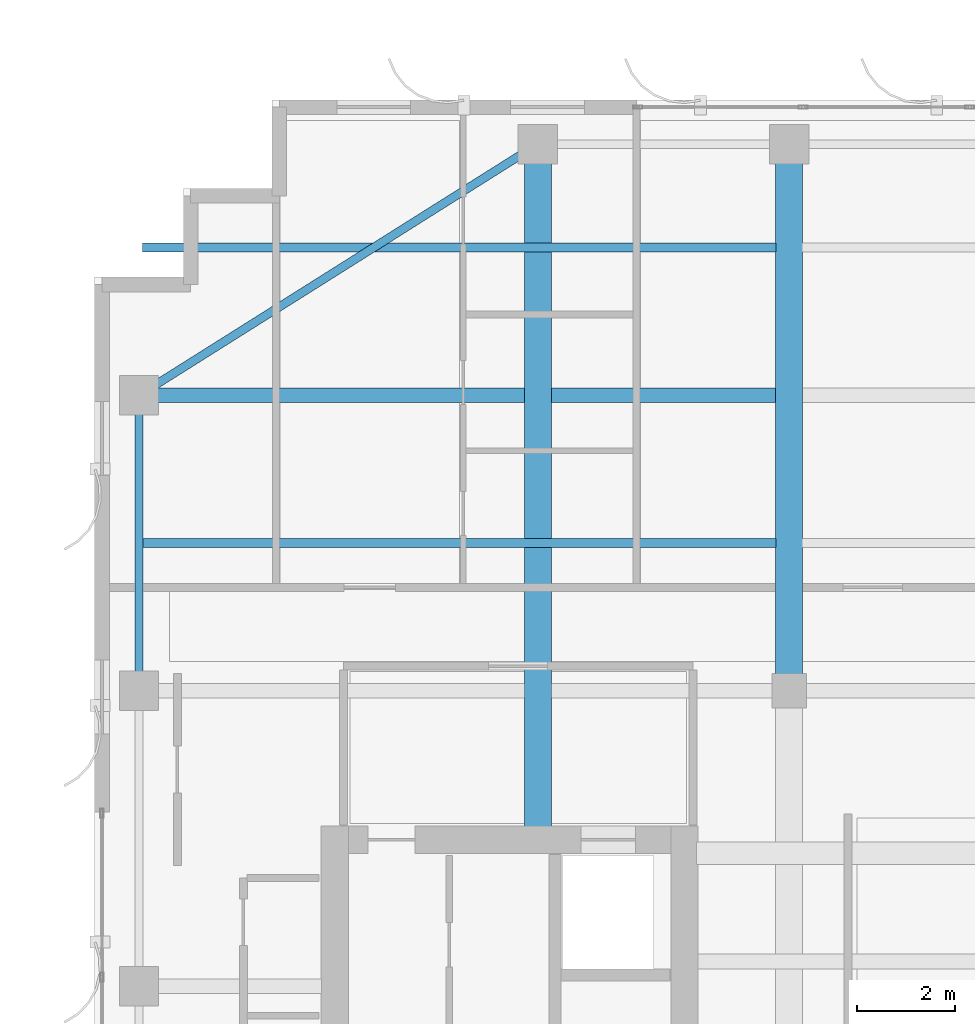
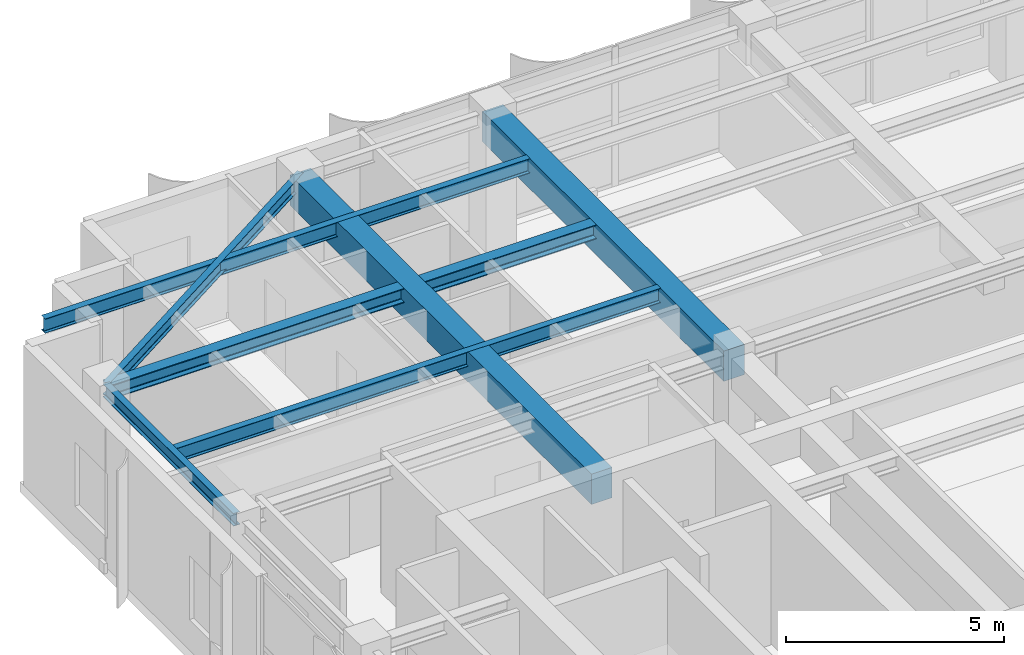
# One storey, part 8 of 19: 7 beams.
"""IFC4 building model written with IfcOpenShell, lengths in metres."""

from ifc_helpers import new_model, si_unit, direction, frame, origin, origin_2d, place, context, subcontext, project, spatial, rectangle, i_section, extrude, source, transform, mapped, material, material_profile, profile_set, type_object, element, save


model = new_model("IFC4")

# Units and contexts
model_context = context("Model", 3, precision=1e-05, world=origin(), true_north=direction((0.0, 1.0)))
body_context = subcontext(model_context, "Body", "Model", "MODEL_VIEW")
ifc_project = project(units=[si_unit("LENGTHUNIT", "METRE"), si_unit("AREAUNIT", "SQUARE_METRE"), si_unit("VOLUMEUNIT", "CUBIC_METRE"), si_unit("PLANEANGLEUNIT", "RADIAN"), si_unit("MASSUNIT", "GRAM", prefix="KILO")], contexts=[model_context])

# Site, building, storey
site_placement = place(None, origin())
site = spatial("IfcSite", under=ifc_project, at=site_placement, CompositionType="ELEMENT")
building_placement = place(site_placement, origin())
building = spatial("IfcBuilding", under=site, at=building_placement, Name="Khoralis Quay Care Tower", CompositionType="ELEMENT")
storey_placement = place(building_placement, frame((0.0, 0.0, 285.300048828125)))
storey = spatial("IfcBuildingStorey", under=building, at=storey_placement, Name="L75", CompositionType="ELEMENT", Elevation=285.300048828125)

# Beams
ifc_material_1 = material(Name="Steel S355", Category="steel")
ifc_material_profile_1 = material_profile(ifc_material_1, i_section(OverallWidth=0.169921875, OverallDepth=0.360107421875, WebThickness=0.008056640625, FlangeThickness=0.0126953125, FilletRadius=0.01806640625, at=origin_2d()), Name="Steel S355")
ifc_profile_set_1 = profile_set([ifc_material_profile_1], Name="Steel S355")
beam_type_1 = type_object("IfcBeamType", Name="BM-IPE360", PredefinedType="SPANDREL", material=ifc_profile_set_1)
shared_shape_1 = source(origin(), body_context, "Body", "SweptSolid", [
    extrude(i_section(OverallWidth=0.169921875, OverallDepth=0.360107421875, WebThickness=0.008056640625, FlangeThickness=0.0126953125, FilletRadius=0.01806640625, at=origin_2d()), origin(), (0.0, 0.0, 1.0), 6.0),
])
beam_1_placement = place(storey_placement, frame((3.89990234375, 30.0, 3.739990234375), z_axis=(0.0, 1.0, 0.0), x_axis=(-1.0, 0.0, 0.0)))
element("IfcBeam", 1, at=beam_1_placement, inside=storey, type_object=beam_type_1, Name="BM-TSP-L75-12", PredefinedType="SPANDREL", context=body_context, shape_type="MappedRepresentation", body=[
    mapped(shared_shape_1, transform((0.0, 0.0, 0.0), scale=1.0)),
])
shared_shape_2 = source(origin(), body_context, "Body", "SweptSolid", [
    extrude(i_section(OverallWidth=0.169921875, OverallDepth=0.360107421875, WebThickness=0.008056640625, FlangeThickness=0.0126953125, FilletRadius=0.01806640625, at=origin_2d()), origin(), (0.0, 0.0, 1.0), 9.572021484375),
])
beam_2_placement = place(storey_placement, frame((12.0, 41.10009765625, 3.739990234375), z_axis=(-0.846231136359, -0.532815975602, 0.0), x_axis=(0.532815975602, -0.846231136359, 0.0)))
element("IfcBeam", 2, at=beam_2_placement, inside=storey, type_object=beam_type_1, Name="BM-TCR-L75-19", PredefinedType="SPANDREL", context=body_context, shape_type="MappedRepresentation", body=[
    mapped(shared_shape_2, transform((0.0, 0.0, 0.0), scale=1.0)),
])
ifc_material_profile_2 = material_profile(ifc_material_1, i_section(OverallWidth=0.300048828125, OverallDepth=0.39990234375, WebThickness=0.013427734375, FlangeThickness=0.02392578125, FilletRadius=0.027099609375, at=origin_2d()), Name="Steel S355")
ifc_profile_set_2 = profile_set([ifc_material_profile_2], Name="Steel S355")
beam_type_2 = type_object("IfcBeamType", Name="BM-HEB400", PredefinedType="BEAM", material=ifc_profile_set_2)
shared_shape_3 = source(origin(), body_context, "Body", "SweptSolid", [
    extrude(i_section(OverallWidth=0.300048828125, OverallDepth=0.39990234375, WebThickness=0.013427734375, FlangeThickness=0.02392578125, FilletRadius=0.027099609375, at=origin_2d()), origin(), (0.0, 0.0, 1.0), 12.93701171875),
])
beam_3_placement = place(storey_placement, frame((3.89990234375, 36.0, 3.719970703125), z_axis=(1.0, 0.0, 0.0), x_axis=(0.0, 1.0, 0.0)))
element("IfcBeam", 3, at=beam_3_placement, inside=storey, type_object=beam_type_2, Name="BM-TGXW-L75-360", PredefinedType="BEAM", context=body_context, shape_type="MappedRepresentation", body=[
    mapped(shared_shape_3, transform((0.0, 0.0, 0.0), scale=1.0)),
])
ifc_material_2 = material(Name="Concrete C50/60", Category="concrete")
ifc_material_profile_3 = material_profile(ifc_material_2, rectangle(XDim=0.550048828125, YDim=0.85009765625, at=origin_2d()), Name="Concrete C50/60")
ifc_profile_set_3 = profile_set([ifc_material_profile_3], Name="Concrete C50/60")
beam_type_3 = type_object("IfcBeamType", Name="BM-RC550X850", PredefinedType="BEAM", material=ifc_profile_set_3)
shared_shape_4 = source(origin(), body_context, "Body", "SweptSolid", [
    extrude(rectangle(XDim=0.550048828125, YDim=0.85009765625, at=origin_2d()), origin(), (0.0, 0.0, 1.0), 13.85205078125),
])
beam_4_placement = place(storey_placement, frame((12.0, 27.248046875, 3.494873046875), z_axis=(0.0, 1.0, 0.0), x_axis=(-1.0, 0.0, 0.0)))
element("IfcBeam", 4, at=beam_4_placement, inside=storey, type_object=beam_type_3, Name="BM-TGYN-L75-120", PredefinedType="BEAM", context=body_context, shape_type="MappedRepresentation", body=[
    mapped(shared_shape_4, transform((0.0, 0.0, 0.0), scale=1.0)),
])
shared_shape_5 = source(origin(), body_context, "Body", "SweptSolid", [
    extrude(rectangle(XDim=0.550048828125, YDim=0.85009765625, at=origin_2d()), origin(), (0.0, 0.0, 1.0), 11.10009765625),
])
beam_5_placement = place(storey_placement, frame((17.10009765625, 30.0, 3.494873046875), z_axis=(0.0, 1.0, 0.0), x_axis=(-1.0, 0.0, 0.0)))
element("IfcBeam", 5, at=beam_5_placement, inside=storey, type_object=beam_type_3, Name="BM-TGYN-L75-171", PredefinedType="BEAM", context=body_context, shape_type="MappedRepresentation", body=[
    mapped(shared_shape_5, transform((0.0, 0.0, 0.0), scale=1.0)),
])
ifc_material_profile_4 = material_profile(ifc_material_1, i_section(OverallWidth=0.177978515625, OverallDepth=0.406982421875, WebThickness=0.0078125, FlangeThickness=0.0126953125, FilletRadius=0.012939453125, at=origin_2d()), Name="Steel S355")
ifc_profile_set_4 = profile_set([ifc_material_profile_4], Name="Steel S355")
beam_type_4 = type_object("IfcBeamType", Name="BM-W410X60", PredefinedType="JOIST", material=ifc_profile_set_4)
shared_shape_6 = source(origin(), body_context, "Body", "SweptSolid", [
    extrude(i_section(OverallWidth=0.177978515625, OverallDepth=0.406982421875, WebThickness=0.0078125, FlangeThickness=0.0126953125, FilletRadius=0.012939453125, at=origin_2d()), origin(), (0.0, 0.0, 1.0), 12.865966796875),
])
for number, where, z_axis, x_axis, name in (
    (6, (3.970947265625, 33.0, 3.716552734375), (1.0, 0.0, 0.0), (0.0, 1.0, 0.0), "BM-TJS-L75-24"),
    (7, (3.970947265625, 39.0, 3.716552734375), (1.0, 0.0, 0.0), (0.0, 1.0, 0.0), "BM-TJS-L75-27"),
):
    element("IfcBeam", number, at=place(storey_placement, frame(where, z_axis=z_axis, x_axis=x_axis)), inside=storey, type_object=beam_type_4, Name=name, PredefinedType="JOIST", context=body_context, shape_type="MappedRepresentation", body=[
        mapped(shared_shape_6, transform((0.0, 0.0, 0.0), scale=1.0)),
    ])

save(model, "model.ifc")
